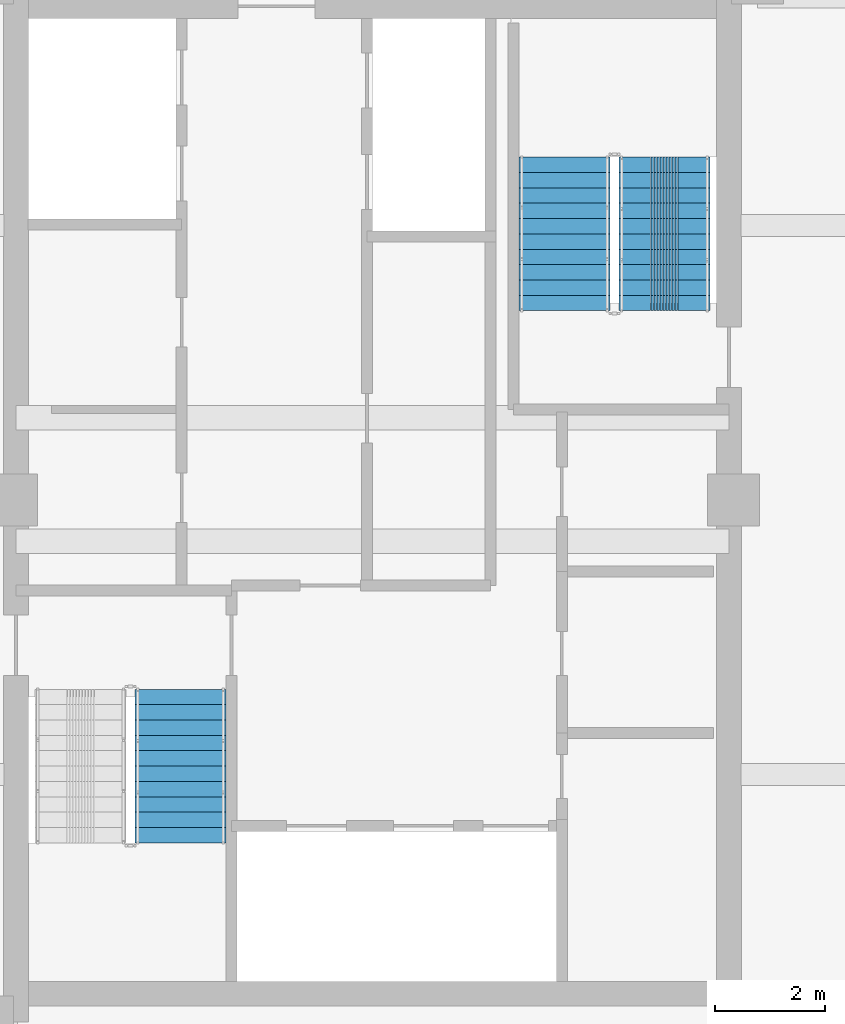
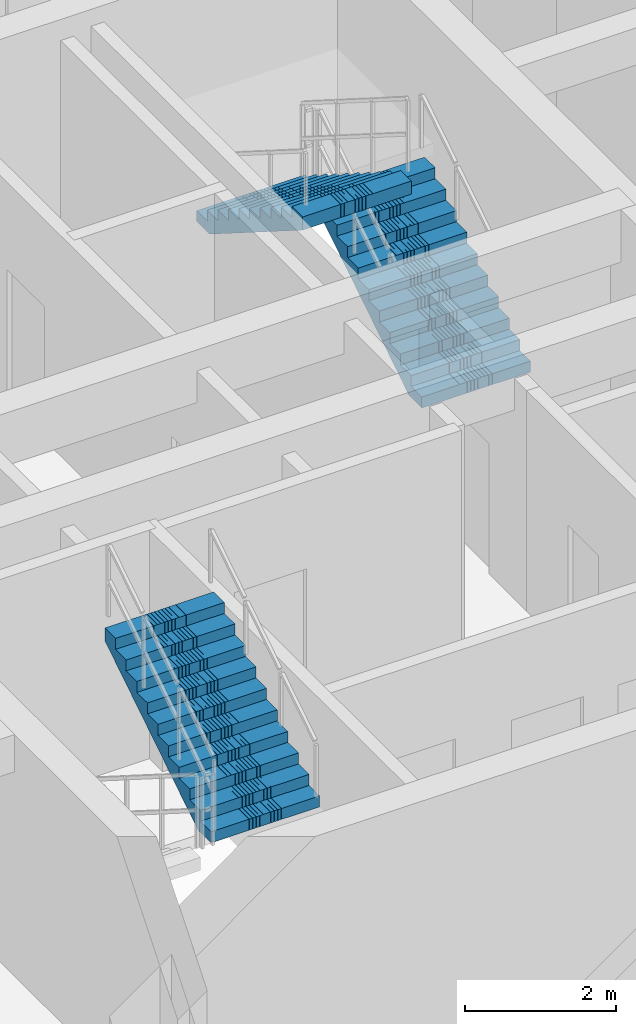
# One storey, part 22 of 27: 3 stair flights, 2 elements without a shape of their own.
"""IFC4 building model written with IfcOpenShell, lengths in metres."""

from ifc_helpers import new_model, si_unit, direction, frame, origin, place, context, subcontext, project, spatial, polyline, outline, extrude, material, type_object, element, aggregate, save


model = new_model("IFC4")

# Units and contexts
model_context = context("Model", 3, precision=1e-05, world=origin(), true_north=direction((0.0, 1.0)))
body_context = subcontext(model_context, "Body", "Model", "MODEL_VIEW")
ifc_project = project(units=[si_unit("LENGTHUNIT", "METRE"), si_unit("AREAUNIT", "SQUARE_METRE"), si_unit("VOLUMEUNIT", "CUBIC_METRE"), si_unit("PLANEANGLEUNIT", "RADIAN"), si_unit("MASSUNIT", "GRAM", prefix="KILO")], contexts=[model_context])

# Site, building, storey
site_placement = place(None, origin())
site = spatial("IfcSite", under=ifc_project, at=site_placement, CompositionType="ELEMENT")
building_placement = place(site_placement, origin())
building = spatial("IfcBuilding", under=site, at=building_placement, Name="Saelheon Loggia Tower", CompositionType="ELEMENT")
storey_placement = place(building_placement, frame((0.0, 0.0, 236.10009765625)))
storey = spatial("IfcBuildingStorey", under=building, at=storey_placement, Name="L73", CompositionType="ELEMENT", Elevation=236.10009765625)

# Stair, stair flight
ifc_material = material(Name="Concrete C40/50", Category="concrete")
stair_type = type_object("IfcStairType", Name="Stair_Escape_Core", PredefinedType="HALF_TURN_STAIR", material=ifc_material)
stair_1_placement = place(storey_placement, origin())
stair_1 = element("IfcStair", 1, at=stair_1_placement, inside=storey, type_object=stair_type, Name="L73 Special Escape Stair ST1", PredefinedType="HALF_TURN_STAIR")
stair_flight_type = type_object("IfcStairFlightType", Name="StairFlight_Tower_1660", PredefinedType="STRAIGHT", material=ifc_material)
stair_flight_1_placement = place(storey_placement, frame((34.5, 20.75, 1.949951171875), z_axis=(0.0, 0.0, 1.0), x_axis=(0.0, 1.0, 0.0)))
stair_flight_1 = element("IfcStairFlight", 2, at=stair_flight_1_placement, type_object=stair_flight_type, Name="ST1 flight 2", NumberOfRisers=11, NumberOfTreads=10, PredefinedType="STRAIGHT", RiserHeight=0.177272727, TreadLength=0.28, context=body_context, shape_type="SweptSolid", body=[
    extrude(outline(polyline([(0.0, 0.0), (0.0, 0.17724609375), (0.280029296875, 0.17724609375), (0.280029296875, 0.3544921875), (0.56005859375, 0.3544921875), (0.56005859375, 0.53173828125), (0.840087890625, 0.53173828125), (0.840087890625, 0.708984375), (1.1201171875, 0.708984375), (1.1201171875, 0.886474609375), (1.39990234375, 0.886474609375), (1.39990234375, 1.063720703125), (1.679931640625, 1.063720703125), (1.679931640625, 1.240966796875), (1.9599609375, 1.240966796875), (1.9599609375, 1.418212890625), (2.239990234375, 1.418212890625), (2.239990234375, 1.595458984375), (2.52001953125, 1.595458984375), (2.52001953125, 1.772705078125), (2.800048828125, 1.772705078125), (2.800048828125, 1.949951171875), (2.800048828125, 1.559814453125), (0.33642578125, 0.0), (0.0, 0.0)])), frame((0.0, -0.2490234375, 0.0), z_axis=(0.0, -1.0, 0.0), x_axis=(1.0, 0.0, 0.0)), (0.0, 0.0, 1.0), 0.5810546875),
    extrude(outline(polyline([(0.0, 0.0), (0.0, 0.17724609375), (0.280029296875, 0.17724609375), (0.280029296875, 0.3544921875), (0.56005859375, 0.3544921875), (0.56005859375, 0.53173828125), (0.840087890625, 0.53173828125), (0.840087890625, 0.708984375), (1.1201171875, 0.708984375), (1.1201171875, 0.886474609375), (1.39990234375, 0.886474609375), (1.39990234375, 1.063720703125), (1.679931640625, 1.063720703125), (1.679931640625, 1.240966796875), (1.9599609375, 1.240966796875), (1.9599609375, 1.418212890625), (2.239990234375, 1.418212890625), (2.239990234375, 1.595458984375), (2.52001953125, 1.595458984375), (2.52001953125, 1.772705078125), (2.800048828125, 1.772705078125), (2.800048828125, 1.949951171875), (2.800048828125, 1.559814453125), (0.33642578125, 0.0), (0.0, 0.0)])), frame((0.0, -0.194091796875, 0.0), z_axis=(0.0, -1.0, 0.0), x_axis=(1.0, 0.0, 0.0)), (0.0, 0.0, 1.0), 0.0498046875),
    extrude(outline(polyline([(0.0, 0.0), (0.0, 0.17724609375), (0.280029296875, 0.17724609375), (0.280029296875, 0.3544921875), (0.56005859375, 0.3544921875), (0.56005859375, 0.53173828125), (0.840087890625, 0.53173828125), (0.840087890625, 0.708984375), (1.1201171875, 0.708984375), (1.1201171875, 0.886474609375), (1.39990234375, 0.886474609375), (1.39990234375, 1.063720703125), (1.679931640625, 1.063720703125), (1.679931640625, 1.240966796875), (1.9599609375, 1.240966796875), (1.9599609375, 1.418212890625), (2.239990234375, 1.418212890625), (2.239990234375, 1.595458984375), (2.52001953125, 1.595458984375), (2.52001953125, 1.772705078125), (2.800048828125, 1.772705078125), (2.800048828125, 1.949951171875), (2.800048828125, 1.559814453125), (0.33642578125, 0.0), (0.0, 0.0)])), frame((0.0, -0.139404296875, 0.0), z_axis=(0.0, -1.0, 0.0), x_axis=(1.0, 0.0, 0.0)), (0.0, 0.0, 1.0), 0.0498046875),
    extrude(outline(polyline([(0.0, 0.0), (0.0, 0.17724609375), (0.280029296875, 0.17724609375), (0.280029296875, 0.3544921875), (0.56005859375, 0.3544921875), (0.56005859375, 0.53173828125), (0.840087890625, 0.53173828125), (0.840087890625, 0.708984375), (1.1201171875, 0.708984375), (1.1201171875, 0.886474609375), (1.39990234375, 0.886474609375), (1.39990234375, 1.063720703125), (1.679931640625, 1.063720703125), (1.679931640625, 1.240966796875), (1.9599609375, 1.240966796875), (1.9599609375, 1.418212890625), (2.239990234375, 1.418212890625), (2.239990234375, 1.595458984375), (2.52001953125, 1.595458984375), (2.52001953125, 1.772705078125), (2.800048828125, 1.772705078125), (2.800048828125, 1.949951171875), (2.800048828125, 1.559814453125), (0.33642578125, 0.0), (0.0, 0.0)])), frame((0.0, -0.084716796875, 0.0), z_axis=(0.0, -1.0, 0.0), x_axis=(1.0, 0.0, 0.0)), (0.0, 0.0, 1.0), 0.0498046875),
    extrude(outline(polyline([(0.0, 0.0), (0.0, 0.17724609375), (0.280029296875, 0.17724609375), (0.280029296875, 0.3544921875), (0.56005859375, 0.3544921875), (0.56005859375, 0.53173828125), (0.840087890625, 0.53173828125), (0.840087890625, 0.708984375), (1.1201171875, 0.708984375), (1.1201171875, 0.886474609375), (1.39990234375, 0.886474609375), (1.39990234375, 1.063720703125), (1.679931640625, 1.063720703125), (1.679931640625, 1.240966796875), (1.9599609375, 1.240966796875), (1.9599609375, 1.418212890625), (2.239990234375, 1.418212890625), (2.239990234375, 1.595458984375), (2.52001953125, 1.595458984375), (2.52001953125, 1.772705078125), (2.800048828125, 1.772705078125), (2.800048828125, 1.949951171875), (2.800048828125, 1.559814453125), (0.33642578125, 0.0), (0.0, 0.0)])), frame((0.0, -0.02978515625, 0.0), z_axis=(0.0, -1.0, 0.0), x_axis=(1.0, 0.0, 0.0)), (0.0, 0.0, 1.0), 0.0498046875),
    extrude(outline(polyline([(0.0, 0.0), (0.0, 0.17724609375), (0.280029296875, 0.17724609375), (0.280029296875, 0.3544921875), (0.56005859375, 0.3544921875), (0.56005859375, 0.53173828125), (0.840087890625, 0.53173828125), (0.840087890625, 0.708984375), (1.1201171875, 0.708984375), (1.1201171875, 0.886474609375), (1.39990234375, 0.886474609375), (1.39990234375, 1.063720703125), (1.679931640625, 1.063720703125), (1.679931640625, 1.240966796875), (1.9599609375, 1.240966796875), (1.9599609375, 1.418212890625), (2.239990234375, 1.418212890625), (2.239990234375, 1.595458984375), (2.52001953125, 1.595458984375), (2.52001953125, 1.772705078125), (2.800048828125, 1.772705078125), (2.800048828125, 1.949951171875), (2.800048828125, 1.559814453125), (0.33642578125, 0.0), (0.0, 0.0)])), frame((0.0, 0.02490234375, 0.0), z_axis=(0.0, -1.0, 0.0), x_axis=(1.0, 0.0, 0.0)), (0.0, 0.0, 1.0), 0.0498046875),
    extrude(outline(polyline([(0.0, 0.0), (0.0, 0.17724609375), (0.280029296875, 0.17724609375), (0.280029296875, 0.3544921875), (0.56005859375, 0.3544921875), (0.56005859375, 0.53173828125), (0.840087890625, 0.53173828125), (0.840087890625, 0.708984375), (1.1201171875, 0.708984375), (1.1201171875, 0.886474609375), (1.39990234375, 0.886474609375), (1.39990234375, 1.063720703125), (1.679931640625, 1.063720703125), (1.679931640625, 1.240966796875), (1.9599609375, 1.240966796875), (1.9599609375, 1.418212890625), (2.239990234375, 1.418212890625), (2.239990234375, 1.595458984375), (2.52001953125, 1.595458984375), (2.52001953125, 1.772705078125), (2.800048828125, 1.772705078125), (2.800048828125, 1.949951171875), (2.800048828125, 1.559814453125), (0.33642578125, 0.0), (0.0, 0.0)])), frame((0.0, 0.07958984375, 0.0), z_axis=(0.0, -1.0, 0.0), x_axis=(1.0, 0.0, 0.0)), (0.0, 0.0, 1.0), 0.0498046875),
    extrude(outline(polyline([(0.0, 0.0), (0.0, 0.17724609375), (0.280029296875, 0.17724609375), (0.280029296875, 0.3544921875), (0.56005859375, 0.3544921875), (0.56005859375, 0.53173828125), (0.840087890625, 0.53173828125), (0.840087890625, 0.708984375), (1.1201171875, 0.708984375), (1.1201171875, 0.886474609375), (1.39990234375, 0.886474609375), (1.39990234375, 1.063720703125), (1.679931640625, 1.063720703125), (1.679931640625, 1.240966796875), (1.9599609375, 1.240966796875), (1.9599609375, 1.418212890625), (2.239990234375, 1.418212890625), (2.239990234375, 1.595458984375), (2.52001953125, 1.595458984375), (2.52001953125, 1.772705078125), (2.800048828125, 1.772705078125), (2.800048828125, 1.949951171875), (2.800048828125, 1.559814453125), (0.33642578125, 0.0), (0.0, 0.0)])), frame((0.0, 0.134521484375, 0.0), z_axis=(0.0, -1.0, 0.0), x_axis=(1.0, 0.0, 0.0)), (0.0, 0.0, 1.0), 0.0498046875),
    extrude(outline(polyline([(0.0, 0.0), (0.0, 0.17724609375), (0.280029296875, 0.17724609375), (0.280029296875, 0.3544921875), (0.56005859375, 0.3544921875), (0.56005859375, 0.53173828125), (0.840087890625, 0.53173828125), (0.840087890625, 0.708984375), (1.1201171875, 0.708984375), (1.1201171875, 0.886474609375), (1.39990234375, 0.886474609375), (1.39990234375, 1.063720703125), (1.679931640625, 1.063720703125), (1.679931640625, 1.240966796875), (1.9599609375, 1.240966796875), (1.9599609375, 1.418212890625), (2.239990234375, 1.418212890625), (2.239990234375, 1.595458984375), (2.52001953125, 1.595458984375), (2.52001953125, 1.772705078125), (2.800048828125, 1.772705078125), (2.800048828125, 1.949951171875), (2.800048828125, 1.559814453125), (0.33642578125, 0.0), (0.0, 0.0)])), frame((0.0, 0.189208984375, 0.0), z_axis=(0.0, -1.0, 0.0), x_axis=(1.0, 0.0, 0.0)), (0.0, 0.0, 1.0), 0.0498046875),
    extrude(outline(polyline([(0.0, 0.0), (0.0, 0.17724609375), (0.280029296875, 0.17724609375), (0.280029296875, 0.3544921875), (0.56005859375, 0.3544921875), (0.56005859375, 0.53173828125), (0.840087890625, 0.53173828125), (0.840087890625, 0.708984375), (1.1201171875, 0.708984375), (1.1201171875, 0.886474609375), (1.39990234375, 0.886474609375), (1.39990234375, 1.063720703125), (1.679931640625, 1.063720703125), (1.679931640625, 1.240966796875), (1.9599609375, 1.240966796875), (1.9599609375, 1.418212890625), (2.239990234375, 1.418212890625), (2.239990234375, 1.595458984375), (2.52001953125, 1.595458984375), (2.52001953125, 1.772705078125), (2.800048828125, 1.772705078125), (2.800048828125, 1.949951171875), (2.800048828125, 1.559814453125), (0.33642578125, 0.0), (0.0, 0.0)])), frame((0.0, 0.243896484375, 0.0), z_axis=(0.0, -1.0, 0.0), x_axis=(1.0, 0.0, 0.0)), (0.0, 0.0, 1.0), 0.0498046875),
    extrude(outline(polyline([(0.0, 0.0), (0.0, 0.17724609375), (0.280029296875, 0.17724609375), (0.280029296875, 0.3544921875), (0.56005859375, 0.3544921875), (0.56005859375, 0.53173828125), (0.840087890625, 0.53173828125), (0.840087890625, 0.708984375), (1.1201171875, 0.708984375), (1.1201171875, 0.886474609375), (1.39990234375, 0.886474609375), (1.39990234375, 1.063720703125), (1.679931640625, 1.063720703125), (1.679931640625, 1.240966796875), (1.9599609375, 1.240966796875), (1.9599609375, 1.418212890625), (2.239990234375, 1.418212890625), (2.239990234375, 1.595458984375), (2.52001953125, 1.595458984375), (2.52001953125, 1.772705078125), (2.800048828125, 1.772705078125), (2.800048828125, 1.949951171875), (2.800048828125, 1.559814453125), (0.33642578125, 0.0), (0.0, 0.0)])), frame((0.0, 0.830078125, 0.0), z_axis=(0.0, -1.0, 0.0), x_axis=(1.0, 0.0, 0.0)), (0.0, 0.0, 1.0), 0.5810546875),
])
aggregate(stair_1, [stair_flight_1])

# Stair, stair flights
stair_2_placement = place(storey_placement, origin())
stair_2 = element("IfcStair", 3, at=stair_2_placement, inside=storey, type_object=stair_type, Name="L73 Special Escape Stair ST2", PredefinedType="HALF_TURN_STAIR")
stair_flight_2_placement = place(storey_placement, frame((43.320068359375, 30.449951171875, 0.0), z_axis=(0.0, 0.0, 1.0), x_axis=(0.0, 1.0, 0.0)))
stair_flight_2 = element("IfcStairFlight", 4, at=stair_flight_2_placement, type_object=stair_flight_type, Name="ST2 flight 1", NumberOfRisers=11, NumberOfTreads=10, PredefinedType="STRAIGHT", RiserHeight=0.177272727, TreadLength=0.28, context=body_context, shape_type="SweptSolid", body=[
    extrude(outline(polyline([(0.0, 0.0), (0.0, 0.17724609375), (0.280029296875, 0.17724609375), (0.280029296875, 0.3544921875), (0.56005859375, 0.3544921875), (0.56005859375, 0.53173828125), (0.840087890625, 0.53173828125), (0.840087890625, 0.708984375), (1.1201171875, 0.708984375), (1.1201171875, 0.886474609375), (1.39990234375, 0.886474609375), (1.39990234375, 1.063720703125), (1.679931640625, 1.063720703125), (1.679931640625, 1.240966796875), (1.9599609375, 1.240966796875), (1.9599609375, 1.418212890625), (2.239990234375, 1.418212890625), (2.239990234375, 1.595458984375), (2.52001953125, 1.595458984375), (2.52001953125, 1.772705078125), (2.800048828125, 1.772705078125), (2.800048828125, 1.949951171875), (2.800048828125, 1.559814453125), (0.33642578125, 0.0), (0.0, 0.0)])), frame((0.0, -0.2490234375, 0.0), z_axis=(0.0, -1.0, 0.0), x_axis=(1.0, 0.0, 0.0)), (0.0, 0.0, 1.0), 0.5810546875),
    extrude(outline(polyline([(0.0, 0.0), (0.0, 0.17724609375), (0.280029296875, 0.17724609375), (0.280029296875, 0.3544921875), (0.56005859375, 0.3544921875), (0.56005859375, 0.53173828125), (0.840087890625, 0.53173828125), (0.840087890625, 0.708984375), (1.1201171875, 0.708984375), (1.1201171875, 0.886474609375), (1.39990234375, 0.886474609375), (1.39990234375, 1.063720703125), (1.679931640625, 1.063720703125), (1.679931640625, 1.240966796875), (1.9599609375, 1.240966796875), (1.9599609375, 1.418212890625), (2.239990234375, 1.418212890625), (2.239990234375, 1.595458984375), (2.52001953125, 1.595458984375), (2.52001953125, 1.772705078125), (2.800048828125, 1.772705078125), (2.800048828125, 1.949951171875), (2.800048828125, 1.559814453125), (0.33642578125, 0.0), (0.0, 0.0)])), frame((0.0, -0.194091796875, 0.0), z_axis=(0.0, -1.0, 0.0), x_axis=(1.0, 0.0, 0.0)), (0.0, 0.0, 1.0), 0.0498046875),
    extrude(outline(polyline([(0.0, 0.0), (0.0, 0.17724609375), (0.280029296875, 0.17724609375), (0.280029296875, 0.3544921875), (0.56005859375, 0.3544921875), (0.56005859375, 0.53173828125), (0.840087890625, 0.53173828125), (0.840087890625, 0.708984375), (1.1201171875, 0.708984375), (1.1201171875, 0.886474609375), (1.39990234375, 0.886474609375), (1.39990234375, 1.063720703125), (1.679931640625, 1.063720703125), (1.679931640625, 1.240966796875), (1.9599609375, 1.240966796875), (1.9599609375, 1.418212890625), (2.239990234375, 1.418212890625), (2.239990234375, 1.595458984375), (2.52001953125, 1.595458984375), (2.52001953125, 1.772705078125), (2.800048828125, 1.772705078125), (2.800048828125, 1.949951171875), (2.800048828125, 1.559814453125), (0.33642578125, 0.0), (0.0, 0.0)])), frame((0.0, -0.139404296875, 0.0), z_axis=(0.0, -1.0, 0.0), x_axis=(1.0, 0.0, 0.0)), (0.0, 0.0, 1.0), 0.0498046875),
    extrude(outline(polyline([(0.0, 0.0), (0.0, 0.17724609375), (0.280029296875, 0.17724609375), (0.280029296875, 0.3544921875), (0.56005859375, 0.3544921875), (0.56005859375, 0.53173828125), (0.840087890625, 0.53173828125), (0.840087890625, 0.708984375), (1.1201171875, 0.708984375), (1.1201171875, 0.886474609375), (1.39990234375, 0.886474609375), (1.39990234375, 1.063720703125), (1.679931640625, 1.063720703125), (1.679931640625, 1.240966796875), (1.9599609375, 1.240966796875), (1.9599609375, 1.418212890625), (2.239990234375, 1.418212890625), (2.239990234375, 1.595458984375), (2.52001953125, 1.595458984375), (2.52001953125, 1.772705078125), (2.800048828125, 1.772705078125), (2.800048828125, 1.949951171875), (2.800048828125, 1.559814453125), (0.33642578125, 0.0), (0.0, 0.0)])), frame((0.0, -0.084716796875, 0.0), z_axis=(0.0, -1.0, 0.0), x_axis=(1.0, 0.0, 0.0)), (0.0, 0.0, 1.0), 0.0498046875),
    extrude(outline(polyline([(0.0, 0.0), (0.0, 0.17724609375), (0.280029296875, 0.17724609375), (0.280029296875, 0.3544921875), (0.56005859375, 0.3544921875), (0.56005859375, 0.53173828125), (0.840087890625, 0.53173828125), (0.840087890625, 0.708984375), (1.1201171875, 0.708984375), (1.1201171875, 0.886474609375), (1.39990234375, 0.886474609375), (1.39990234375, 1.063720703125), (1.679931640625, 1.063720703125), (1.679931640625, 1.240966796875), (1.9599609375, 1.240966796875), (1.9599609375, 1.418212890625), (2.239990234375, 1.418212890625), (2.239990234375, 1.595458984375), (2.52001953125, 1.595458984375), (2.52001953125, 1.772705078125), (2.800048828125, 1.772705078125), (2.800048828125, 1.949951171875), (2.800048828125, 1.559814453125), (0.33642578125, 0.0), (0.0, 0.0)])), frame((0.0, -0.02978515625, 0.0), z_axis=(0.0, -1.0, 0.0), x_axis=(1.0, 0.0, 0.0)), (0.0, 0.0, 1.0), 0.0498046875),
    extrude(outline(polyline([(0.0, 0.0), (0.0, 0.17724609375), (0.280029296875, 0.17724609375), (0.280029296875, 0.3544921875), (0.56005859375, 0.3544921875), (0.56005859375, 0.53173828125), (0.840087890625, 0.53173828125), (0.840087890625, 0.708984375), (1.1201171875, 0.708984375), (1.1201171875, 0.886474609375), (1.39990234375, 0.886474609375), (1.39990234375, 1.063720703125), (1.679931640625, 1.063720703125), (1.679931640625, 1.240966796875), (1.9599609375, 1.240966796875), (1.9599609375, 1.418212890625), (2.239990234375, 1.418212890625), (2.239990234375, 1.595458984375), (2.52001953125, 1.595458984375), (2.52001953125, 1.772705078125), (2.800048828125, 1.772705078125), (2.800048828125, 1.949951171875), (2.800048828125, 1.559814453125), (0.33642578125, 0.0), (0.0, 0.0)])), frame((0.0, 0.02490234375, 0.0), z_axis=(0.0, -1.0, 0.0), x_axis=(1.0, 0.0, 0.0)), (0.0, 0.0, 1.0), 0.0498046875),
    extrude(outline(polyline([(0.0, 0.0), (0.0, 0.17724609375), (0.280029296875, 0.17724609375), (0.280029296875, 0.3544921875), (0.56005859375, 0.3544921875), (0.56005859375, 0.53173828125), (0.840087890625, 0.53173828125), (0.840087890625, 0.708984375), (1.1201171875, 0.708984375), (1.1201171875, 0.886474609375), (1.39990234375, 0.886474609375), (1.39990234375, 1.063720703125), (1.679931640625, 1.063720703125), (1.679931640625, 1.240966796875), (1.9599609375, 1.240966796875), (1.9599609375, 1.418212890625), (2.239990234375, 1.418212890625), (2.239990234375, 1.595458984375), (2.52001953125, 1.595458984375), (2.52001953125, 1.772705078125), (2.800048828125, 1.772705078125), (2.800048828125, 1.949951171875), (2.800048828125, 1.559814453125), (0.33642578125, 0.0), (0.0, 0.0)])), frame((0.0, 0.07958984375, 0.0), z_axis=(0.0, -1.0, 0.0), x_axis=(1.0, 0.0, 0.0)), (0.0, 0.0, 1.0), 0.0498046875),
    extrude(outline(polyline([(0.0, 0.0), (0.0, 0.17724609375), (0.280029296875, 0.17724609375), (0.280029296875, 0.3544921875), (0.56005859375, 0.3544921875), (0.56005859375, 0.53173828125), (0.840087890625, 0.53173828125), (0.840087890625, 0.708984375), (1.1201171875, 0.708984375), (1.1201171875, 0.886474609375), (1.39990234375, 0.886474609375), (1.39990234375, 1.063720703125), (1.679931640625, 1.063720703125), (1.679931640625, 1.240966796875), (1.9599609375, 1.240966796875), (1.9599609375, 1.418212890625), (2.239990234375, 1.418212890625), (2.239990234375, 1.595458984375), (2.52001953125, 1.595458984375), (2.52001953125, 1.772705078125), (2.800048828125, 1.772705078125), (2.800048828125, 1.949951171875), (2.800048828125, 1.559814453125), (0.33642578125, 0.0), (0.0, 0.0)])), frame((0.0, 0.134521484375, 0.0), z_axis=(0.0, -1.0, 0.0), x_axis=(1.0, 0.0, 0.0)), (0.0, 0.0, 1.0), 0.0498046875),
    extrude(outline(polyline([(0.0, 0.0), (0.0, 0.17724609375), (0.280029296875, 0.17724609375), (0.280029296875, 0.3544921875), (0.56005859375, 0.3544921875), (0.56005859375, 0.53173828125), (0.840087890625, 0.53173828125), (0.840087890625, 0.708984375), (1.1201171875, 0.708984375), (1.1201171875, 0.886474609375), (1.39990234375, 0.886474609375), (1.39990234375, 1.063720703125), (1.679931640625, 1.063720703125), (1.679931640625, 1.240966796875), (1.9599609375, 1.240966796875), (1.9599609375, 1.418212890625), (2.239990234375, 1.418212890625), (2.239990234375, 1.595458984375), (2.52001953125, 1.595458984375), (2.52001953125, 1.772705078125), (2.800048828125, 1.772705078125), (2.800048828125, 1.949951171875), (2.800048828125, 1.559814453125), (0.33642578125, 0.0), (0.0, 0.0)])), frame((0.0, 0.189208984375, 0.0), z_axis=(0.0, -1.0, 0.0), x_axis=(1.0, 0.0, 0.0)), (0.0, 0.0, 1.0), 0.0498046875),
    extrude(outline(polyline([(0.0, 0.0), (0.0, 0.17724609375), (0.280029296875, 0.17724609375), (0.280029296875, 0.3544921875), (0.56005859375, 0.3544921875), (0.56005859375, 0.53173828125), (0.840087890625, 0.53173828125), (0.840087890625, 0.708984375), (1.1201171875, 0.708984375), (1.1201171875, 0.886474609375), (1.39990234375, 0.886474609375), (1.39990234375, 1.063720703125), (1.679931640625, 1.063720703125), (1.679931640625, 1.240966796875), (1.9599609375, 1.240966796875), (1.9599609375, 1.418212890625), (2.239990234375, 1.418212890625), (2.239990234375, 1.595458984375), (2.52001953125, 1.595458984375), (2.52001953125, 1.772705078125), (2.800048828125, 1.772705078125), (2.800048828125, 1.949951171875), (2.800048828125, 1.559814453125), (0.33642578125, 0.0), (0.0, 0.0)])), frame((0.0, 0.243896484375, 0.0), z_axis=(0.0, -1.0, 0.0), x_axis=(1.0, 0.0, 0.0)), (0.0, 0.0, 1.0), 0.0498046875),
    extrude(outline(polyline([(0.0, 0.0), (0.0, 0.17724609375), (0.280029296875, 0.17724609375), (0.280029296875, 0.3544921875), (0.56005859375, 0.3544921875), (0.56005859375, 0.53173828125), (0.840087890625, 0.53173828125), (0.840087890625, 0.708984375), (1.1201171875, 0.708984375), (1.1201171875, 0.886474609375), (1.39990234375, 0.886474609375), (1.39990234375, 1.063720703125), (1.679931640625, 1.063720703125), (1.679931640625, 1.240966796875), (1.9599609375, 1.240966796875), (1.9599609375, 1.418212890625), (2.239990234375, 1.418212890625), (2.239990234375, 1.595458984375), (2.52001953125, 1.595458984375), (2.52001953125, 1.772705078125), (2.800048828125, 1.772705078125), (2.800048828125, 1.949951171875), (2.800048828125, 1.559814453125), (0.33642578125, 0.0), (0.0, 0.0)])), frame((0.0, 0.830078125, 0.0), z_axis=(0.0, -1.0, 0.0), x_axis=(1.0, 0.0, 0.0)), (0.0, 0.0, 1.0), 0.5810546875),
])
stair_flight_3_placement = place(storey_placement, frame((41.5, 33.25, 1.949951171875), z_axis=(0.0, 0.0, 1.0), x_axis=(0.0, -1.0, 0.0)))
stair_flight_3 = element("IfcStairFlight", 5, at=stair_flight_3_placement, type_object=stair_flight_type, Name="ST2 flight 2", NumberOfRisers=11, NumberOfTreads=10, PredefinedType="STRAIGHT", RiserHeight=0.177272727, TreadLength=0.28, context=body_context, shape_type="SweptSolid", body=[
    extrude(outline(polyline([(0.0, 0.0), (0.0, 0.17724609375), (0.280029296875, 0.17724609375), (0.280029296875, 0.3544921875), (0.56005859375, 0.3544921875), (0.56005859375, 0.53173828125), (0.840087890625, 0.53173828125), (0.840087890625, 0.708984375), (1.1201171875, 0.708984375), (1.1201171875, 0.886474609375), (1.39990234375, 0.886474609375), (1.39990234375, 1.063720703125), (1.679931640625, 1.063720703125), (1.679931640625, 1.240966796875), (1.9599609375, 1.240966796875), (1.9599609375, 1.418212890625), (2.239990234375, 1.418212890625), (2.239990234375, 1.595458984375), (2.52001953125, 1.595458984375), (2.52001953125, 1.772705078125), (2.800048828125, 1.772705078125), (2.800048828125, 1.949951171875), (2.800048828125, 1.559814453125), (0.33642578125, 0.0), (0.0, 0.0)])), frame((0.0, -0.2490234375, 0.0), z_axis=(0.0, -1.0, 0.0), x_axis=(1.0, 0.0, 0.0)), (0.0, 0.0, 1.0), 0.5810546875),
    extrude(outline(polyline([(0.0, 0.0), (0.0, 0.17724609375), (0.280029296875, 0.17724609375), (0.280029296875, 0.3544921875), (0.56005859375, 0.3544921875), (0.56005859375, 0.53173828125), (0.840087890625, 0.53173828125), (0.840087890625, 0.708984375), (1.1201171875, 0.708984375), (1.1201171875, 0.886474609375), (1.39990234375, 0.886474609375), (1.39990234375, 1.063720703125), (1.679931640625, 1.063720703125), (1.679931640625, 1.240966796875), (1.9599609375, 1.240966796875), (1.9599609375, 1.418212890625), (2.239990234375, 1.418212890625), (2.239990234375, 1.595458984375), (2.52001953125, 1.595458984375), (2.52001953125, 1.772705078125), (2.800048828125, 1.772705078125), (2.800048828125, 1.949951171875), (2.800048828125, 1.559814453125), (0.33642578125, 0.0), (0.0, 0.0)])), frame((0.0, -0.194091796875, 0.0), z_axis=(0.0, -1.0, 0.0), x_axis=(1.0, 0.0, 0.0)), (0.0, 0.0, 1.0), 0.0498046875),
    extrude(outline(polyline([(0.0, 0.0), (0.0, 0.17724609375), (0.280029296875, 0.17724609375), (0.280029296875, 0.3544921875), (0.56005859375, 0.3544921875), (0.56005859375, 0.53173828125), (0.840087890625, 0.53173828125), (0.840087890625, 0.708984375), (1.1201171875, 0.708984375), (1.1201171875, 0.886474609375), (1.39990234375, 0.886474609375), (1.39990234375, 1.063720703125), (1.679931640625, 1.063720703125), (1.679931640625, 1.240966796875), (1.9599609375, 1.240966796875), (1.9599609375, 1.418212890625), (2.239990234375, 1.418212890625), (2.239990234375, 1.595458984375), (2.52001953125, 1.595458984375), (2.52001953125, 1.772705078125), (2.800048828125, 1.772705078125), (2.800048828125, 1.949951171875), (2.800048828125, 1.559814453125), (0.33642578125, 0.0), (0.0, 0.0)])), frame((0.0, -0.139404296875, 0.0), z_axis=(0.0, -1.0, 0.0), x_axis=(1.0, 0.0, 0.0)), (0.0, 0.0, 1.0), 0.0498046875),
    extrude(outline(polyline([(0.0, 0.0), (0.0, 0.17724609375), (0.280029296875, 0.17724609375), (0.280029296875, 0.3544921875), (0.56005859375, 0.3544921875), (0.56005859375, 0.53173828125), (0.840087890625, 0.53173828125), (0.840087890625, 0.708984375), (1.1201171875, 0.708984375), (1.1201171875, 0.886474609375), (1.39990234375, 0.886474609375), (1.39990234375, 1.063720703125), (1.679931640625, 1.063720703125), (1.679931640625, 1.240966796875), (1.9599609375, 1.240966796875), (1.9599609375, 1.418212890625), (2.239990234375, 1.418212890625), (2.239990234375, 1.595458984375), (2.52001953125, 1.595458984375), (2.52001953125, 1.772705078125), (2.800048828125, 1.772705078125), (2.800048828125, 1.949951171875), (2.800048828125, 1.559814453125), (0.33642578125, 0.0), (0.0, 0.0)])), frame((0.0, -0.084716796875, 0.0), z_axis=(0.0, -1.0, 0.0), x_axis=(1.0, 0.0, 0.0)), (0.0, 0.0, 1.0), 0.0498046875),
    extrude(outline(polyline([(0.0, 0.0), (0.0, 0.17724609375), (0.280029296875, 0.17724609375), (0.280029296875, 0.3544921875), (0.56005859375, 0.3544921875), (0.56005859375, 0.53173828125), (0.840087890625, 0.53173828125), (0.840087890625, 0.708984375), (1.1201171875, 0.708984375), (1.1201171875, 0.886474609375), (1.39990234375, 0.886474609375), (1.39990234375, 1.063720703125), (1.679931640625, 1.063720703125), (1.679931640625, 1.240966796875), (1.9599609375, 1.240966796875), (1.9599609375, 1.418212890625), (2.239990234375, 1.418212890625), (2.239990234375, 1.595458984375), (2.52001953125, 1.595458984375), (2.52001953125, 1.772705078125), (2.800048828125, 1.772705078125), (2.800048828125, 1.949951171875), (2.800048828125, 1.559814453125), (0.33642578125, 0.0), (0.0, 0.0)])), frame((0.0, -0.02978515625, 0.0), z_axis=(0.0, -1.0, 0.0), x_axis=(1.0, 0.0, 0.0)), (0.0, 0.0, 1.0), 0.0498046875),
    extrude(outline(polyline([(0.0, 0.0), (0.0, 0.17724609375), (0.280029296875, 0.17724609375), (0.280029296875, 0.3544921875), (0.56005859375, 0.3544921875), (0.56005859375, 0.53173828125), (0.840087890625, 0.53173828125), (0.840087890625, 0.708984375), (1.1201171875, 0.708984375), (1.1201171875, 0.886474609375), (1.39990234375, 0.886474609375), (1.39990234375, 1.063720703125), (1.679931640625, 1.063720703125), (1.679931640625, 1.240966796875), (1.9599609375, 1.240966796875), (1.9599609375, 1.418212890625), (2.239990234375, 1.418212890625), (2.239990234375, 1.595458984375), (2.52001953125, 1.595458984375), (2.52001953125, 1.772705078125), (2.800048828125, 1.772705078125), (2.800048828125, 1.949951171875), (2.800048828125, 1.559814453125), (0.33642578125, 0.0), (0.0, 0.0)])), frame((0.0, 0.02490234375, 0.0), z_axis=(0.0, -1.0, 0.0), x_axis=(1.0, 0.0, 0.0)), (0.0, 0.0, 1.0), 0.0498046875),
    extrude(outline(polyline([(0.0, 0.0), (0.0, 0.17724609375), (0.280029296875, 0.17724609375), (0.280029296875, 0.3544921875), (0.56005859375, 0.3544921875), (0.56005859375, 0.53173828125), (0.840087890625, 0.53173828125), (0.840087890625, 0.708984375), (1.1201171875, 0.708984375), (1.1201171875, 0.886474609375), (1.39990234375, 0.886474609375), (1.39990234375, 1.063720703125), (1.679931640625, 1.063720703125), (1.679931640625, 1.240966796875), (1.9599609375, 1.240966796875), (1.9599609375, 1.418212890625), (2.239990234375, 1.418212890625), (2.239990234375, 1.595458984375), (2.52001953125, 1.595458984375), (2.52001953125, 1.772705078125), (2.800048828125, 1.772705078125), (2.800048828125, 1.949951171875), (2.800048828125, 1.559814453125), (0.33642578125, 0.0), (0.0, 0.0)])), frame((0.0, 0.07958984375, 0.0), z_axis=(0.0, -1.0, 0.0), x_axis=(1.0, 0.0, 0.0)), (0.0, 0.0, 1.0), 0.0498046875),
    extrude(outline(polyline([(0.0, 0.0), (0.0, 0.17724609375), (0.280029296875, 0.17724609375), (0.280029296875, 0.3544921875), (0.56005859375, 0.3544921875), (0.56005859375, 0.53173828125), (0.840087890625, 0.53173828125), (0.840087890625, 0.708984375), (1.1201171875, 0.708984375), (1.1201171875, 0.886474609375), (1.39990234375, 0.886474609375), (1.39990234375, 1.063720703125), (1.679931640625, 1.063720703125), (1.679931640625, 1.240966796875), (1.9599609375, 1.240966796875), (1.9599609375, 1.418212890625), (2.239990234375, 1.418212890625), (2.239990234375, 1.595458984375), (2.52001953125, 1.595458984375), (2.52001953125, 1.772705078125), (2.800048828125, 1.772705078125), (2.800048828125, 1.949951171875), (2.800048828125, 1.559814453125), (0.33642578125, 0.0), (0.0, 0.0)])), frame((0.0, 0.134521484375, 0.0), z_axis=(0.0, -1.0, 0.0), x_axis=(1.0, 0.0, 0.0)), (0.0, 0.0, 1.0), 0.0498046875),
    extrude(outline(polyline([(0.0, 0.0), (0.0, 0.17724609375), (0.280029296875, 0.17724609375), (0.280029296875, 0.3544921875), (0.56005859375, 0.3544921875), (0.56005859375, 0.53173828125), (0.840087890625, 0.53173828125), (0.840087890625, 0.708984375), (1.1201171875, 0.708984375), (1.1201171875, 0.886474609375), (1.39990234375, 0.886474609375), (1.39990234375, 1.063720703125), (1.679931640625, 1.063720703125), (1.679931640625, 1.240966796875), (1.9599609375, 1.240966796875), (1.9599609375, 1.418212890625), (2.239990234375, 1.418212890625), (2.239990234375, 1.595458984375), (2.52001953125, 1.595458984375), (2.52001953125, 1.772705078125), (2.800048828125, 1.772705078125), (2.800048828125, 1.949951171875), (2.800048828125, 1.559814453125), (0.33642578125, 0.0), (0.0, 0.0)])), frame((0.0, 0.189208984375, 0.0), z_axis=(0.0, -1.0, 0.0), x_axis=(1.0, 0.0, 0.0)), (0.0, 0.0, 1.0), 0.0498046875),
    extrude(outline(polyline([(0.0, 0.0), (0.0, 0.17724609375), (0.280029296875, 0.17724609375), (0.280029296875, 0.3544921875), (0.56005859375, 0.3544921875), (0.56005859375, 0.53173828125), (0.840087890625, 0.53173828125), (0.840087890625, 0.708984375), (1.1201171875, 0.708984375), (1.1201171875, 0.886474609375), (1.39990234375, 0.886474609375), (1.39990234375, 1.063720703125), (1.679931640625, 1.063720703125), (1.679931640625, 1.240966796875), (1.9599609375, 1.240966796875), (1.9599609375, 1.418212890625), (2.239990234375, 1.418212890625), (2.239990234375, 1.595458984375), (2.52001953125, 1.595458984375), (2.52001953125, 1.772705078125), (2.800048828125, 1.772705078125), (2.800048828125, 1.949951171875), (2.800048828125, 1.559814453125), (0.33642578125, 0.0), (0.0, 0.0)])), frame((0.0, 0.243896484375, 0.0), z_axis=(0.0, -1.0, 0.0), x_axis=(1.0, 0.0, 0.0)), (0.0, 0.0, 1.0), 0.0498046875),
    extrude(outline(polyline([(0.0, 0.0), (0.0, 0.17724609375), (0.280029296875, 0.17724609375), (0.280029296875, 0.3544921875), (0.56005859375, 0.3544921875), (0.56005859375, 0.53173828125), (0.840087890625, 0.53173828125), (0.840087890625, 0.708984375), (1.1201171875, 0.708984375), (1.1201171875, 0.886474609375), (1.39990234375, 0.886474609375), (1.39990234375, 1.063720703125), (1.679931640625, 1.063720703125), (1.679931640625, 1.240966796875), (1.9599609375, 1.240966796875), (1.9599609375, 1.418212890625), (2.239990234375, 1.418212890625), (2.239990234375, 1.595458984375), (2.52001953125, 1.595458984375), (2.52001953125, 1.772705078125), (2.800048828125, 1.772705078125), (2.800048828125, 1.949951171875), (2.800048828125, 1.559814453125), (0.33642578125, 0.0), (0.0, 0.0)])), frame((0.0, 0.830078125, 0.0), z_axis=(0.0, -1.0, 0.0), x_axis=(1.0, 0.0, 0.0)), (0.0, 0.0, 1.0), 0.5810546875),
])
aggregate(stair_2, [stair_flight_2, stair_flight_3])

save(model, "model.ifc")
